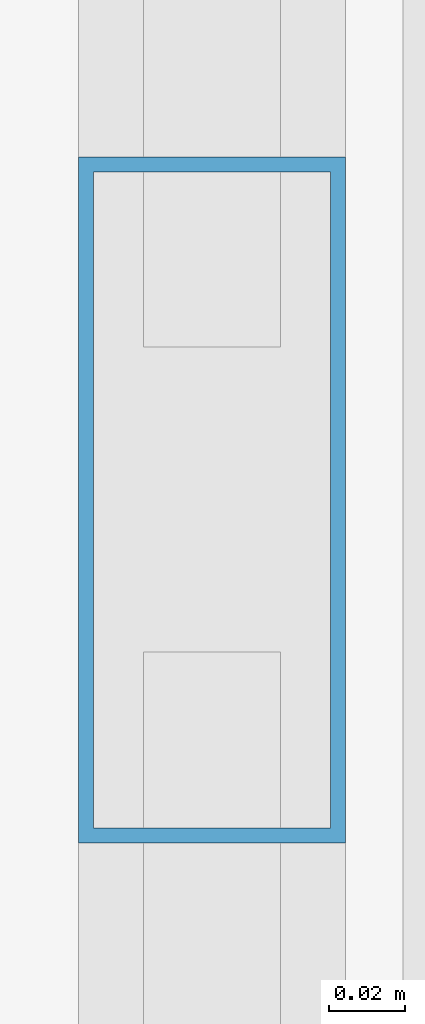
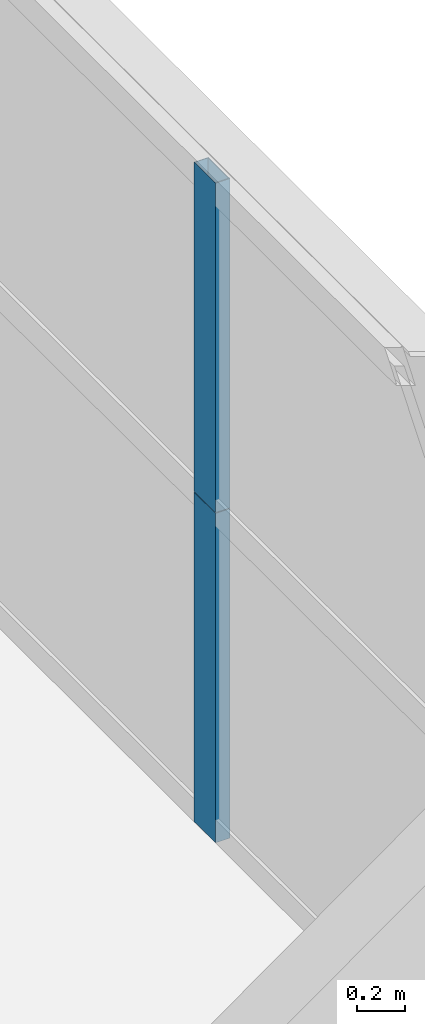
# One storey, part 32 of 43: 2 members, 1 element without a shape of its own.
"""IFC4 building model written with IfcOpenShell, lengths in metres."""

from ifc_helpers import new_model, si_unit, direction, frame, origin, origin_2d, place, context, subcontext, project, spatial, hollow_rectangle, extrude, source, transform, mapped, material, layer, layer_set, material_profile, profile_set, type_object, element, aggregate, save


model = new_model("IFC4")

# Units and contexts
model_context = context("Model", 3, precision=1e-05, world=origin(), true_north=direction((0.0, 1.0)))
body_context = subcontext(model_context, "Body", "Model", "MODEL_VIEW")
ifc_project = project(units=[si_unit("LENGTHUNIT", "METRE"), si_unit("AREAUNIT", "SQUARE_METRE"), si_unit("VOLUMEUNIT", "CUBIC_METRE"), si_unit("PLANEANGLEUNIT", "RADIAN"), si_unit("MASSUNIT", "GRAM", prefix="KILO"), si_unit("THERMODYNAMICTEMPERATUREUNIT", "KELVIN"), si_unit("POWERUNIT", "WATT")], contexts=[model_context])

# Site, building, storey
site_placement = place(None, origin())
site = spatial("IfcSite", under=ifc_project, at=site_placement, CompositionType="ELEMENT")
building_placement = place(site_placement, origin())
building = spatial("IfcBuilding", under=site, at=building_placement, Name="Yuzanri Waterfront Tower", CompositionType="ELEMENT")
storey_placement = place(building_placement, frame((0.0, 0.0, 46.0)))
storey = spatial("IfcBuildingStorey", under=building, at=storey_placement, Name="L11", CompositionType="ELEMENT", Elevation=46.0)

# Curtain wall, members
ifc_material_1 = material(Name="Anodized Architectural Bronze", Category="metal")
ifc_layer = layer(ifc_material_1, 0.159912109375)
ifc_layer_set = layer_set([ifc_layer], Name="Anodized Architectural Bronze")
curtain_wall_type = type_object("IfcCurtainWallType", Name="Anodized Bronze Hotel Lower-Tier Recessed Unitized Curtain Wall 8100", PredefinedType="NOTDEFINED", material=ifc_layer_set)
curtain_wall_placement = place(storey_placement, origin())
curtain_wall = element("IfcCurtainWall", 1, at=curtain_wall_placement, inside=storey, type_object=curtain_wall_type, Name="L11 Curtain Wall CW-L11-ER", PredefinedType="NOTDEFINED")
ifc_material_2 = material(Name="Anodized Architectural Bronze", Category="metal")
ifc_material_profile = material_profile(ifc_material_2, hollow_rectangle(XDim=0.070068359375, YDim=0.179931640625, WallThickness=0.00390625, at=origin_2d()), Name="CWM 70x180")
ifc_profile_set = profile_set([ifc_material_profile], Name="Anodized Architectural Bronze")
member_type = type_object("IfcMemberType", Name="Anodized Bronze Standard Curtain-Wall Mullion 70x180", PredefinedType="MULLION", material=ifc_profile_set)
shared_shape = source(origin(), body_context, "Body", "SweptSolid", [
    extrude(hollow_rectangle(XDim=0.070068359375, YDim=0.179931640625, WallThickness=0.00390625, at=origin_2d()), origin(), (0.0, 0.0, 1.0), 1.68798828125),
])
member_1_placement = place(storey_placement, frame((61.949951171875, 34.89990234375, 0.0), z_axis=(0.0, 0.0, 1.0), x_axis=(1.0, 0.0, 0.0)))
member_1 = element("IfcMember", 2, at=member_1_placement, type_object=member_type, Name="CW-L11-ER Lower Mullion 01", PredefinedType="MULLION", context=body_context, shape_type="MappedRepresentation", body=[
    mapped(shared_shape, transform((0.0, 0.0, 0.0), scale=1.0)),
])
member_2_placement = place(storey_placement, frame((61.949951171875, 34.89990234375, 1.69189453125), z_axis=(0.0, 0.0, 1.0), x_axis=(1.0, 0.0, 0.0)))
member_2 = element("IfcMember", 3, at=member_2_placement, type_object=member_type, Name="CW-L11-ER Upper Mullion 01", PredefinedType="MULLION", context=body_context, shape_type="MappedRepresentation", body=[
    mapped(shared_shape, transform((0.0, 0.0, 0.0), scale=1.0)),
])
aggregate(curtain_wall, [member_1, member_2])

save(model, "model.ifc")
